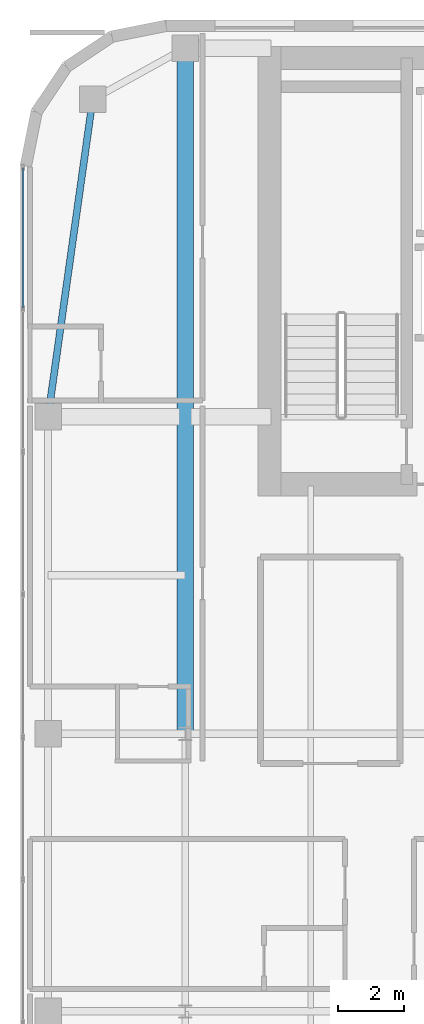
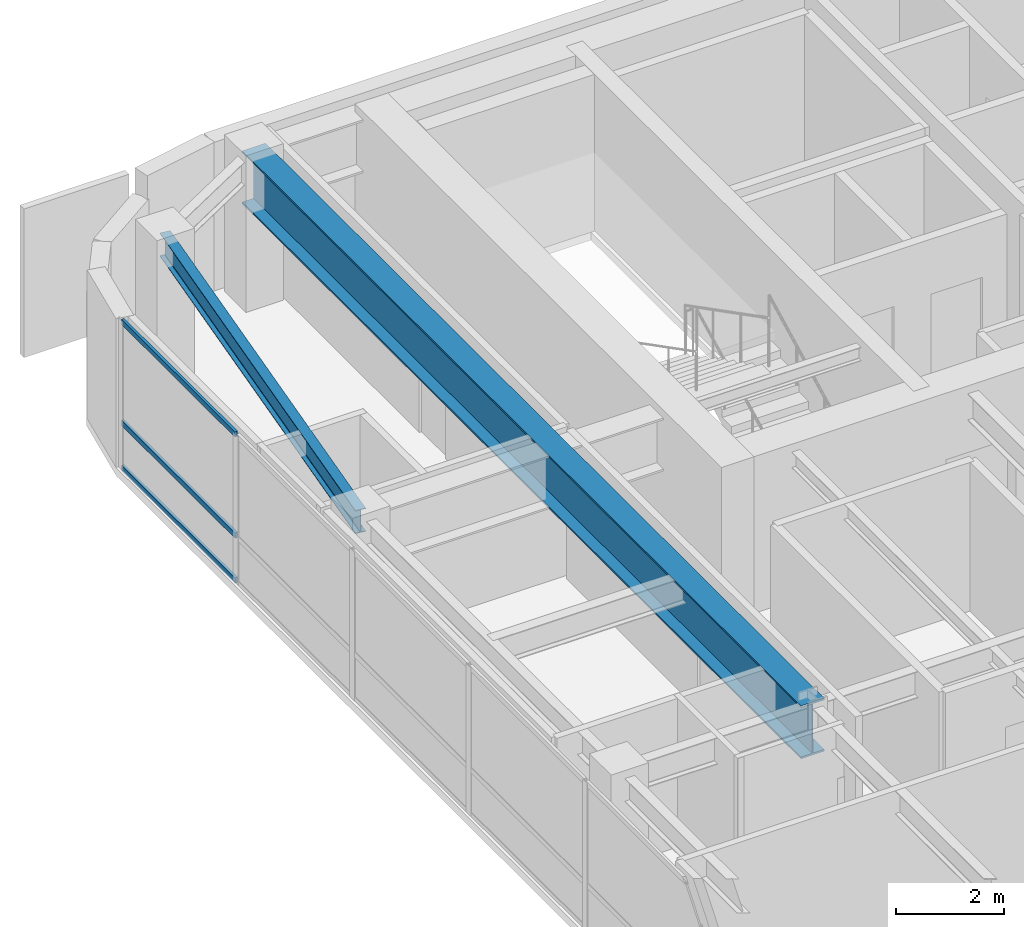
# One storey, part 14 of 24: 3 members, 2 beams, 1 element without a shape of its own.
"""IFC4 building model written with IfcOpenShell, lengths in metres."""

from ifc_helpers import new_model, si_unit, direction, frame, origin, origin_2d, place, context, subcontext, project, spatial, hollow_rectangle, i_section, extrude, source, transform, mapped, material, layer, layer_set, material_profile, profile_set, type_object, type_shapes, element, aggregate, save


model = new_model("IFC4")

# Units and contexts
model_context = context("Model", 3, precision=1e-05, world=origin(), true_north=direction((0.0, 1.0)))
body_context = subcontext(model_context, "Body", "Model", "MODEL_VIEW")
ifc_project = project(units=[si_unit("LENGTHUNIT", "METRE"), si_unit("AREAUNIT", "SQUARE_METRE"), si_unit("VOLUMEUNIT", "CUBIC_METRE"), si_unit("PLANEANGLEUNIT", "RADIAN"), si_unit("MASSUNIT", "GRAM", prefix="KILO")], contexts=[model_context])

# Site, building, storey
site_placement = place(None, origin())
site = spatial("IfcSite", under=ifc_project, at=site_placement, CompositionType="ELEMENT")
building_placement = place(site_placement, origin())
building = spatial("IfcBuilding", under=site, at=building_placement, Name="Tolvann Quenvar Hotel", CompositionType="ELEMENT")
storey_placement = place(building_placement, frame((0.0, 0.0, 157.699951171875)))
storey = spatial("IfcBuildingStorey", under=building, at=storey_placement, Name="L41", CompositionType="ELEMENT", Elevation=157.699951171875)

# Beams
ifc_material_1 = material(Name="Steel Grade 350", Category="steel")
ifc_material_profile_1 = material_profile(ifc_material_1, i_section(OverallWidth=0.5, OverallDepth=1.199951171875, WebThickness=0.01611328125, FlangeThickness=0.0400390625, at=origin_2d()), Name="1200WB455")
ifc_profile_set_1 = profile_set([ifc_material_profile_1], Name="Steel Grade 350")
beam_type_1 = type_object("IfcBeamType", Name="BM_TG_1200WB455", PredefinedType="USERDEFINED", material=ifc_profile_set_1)
shared_shape_1 = source(origin(), body_context, "Body", "SweptSolid", [
    extrude(i_section(OverallWidth=0.5, OverallDepth=1.199951171875, WebThickness=0.01611328125, FlangeThickness=0.0400390625, at=origin_2d()), origin(), (0.0, 0.0, 1.0), 20.75),
])
type_shapes(beam_type_1, [shared_shape_1])
beam_1_placement = place(storey_placement, frame((7.60009765625, 24.39990234375, 2.77001953125), z_axis=(0.0, 1.0, 0.0), x_axis=(-1.0, 0.0, 0.0)))
element("IfcBeam", 1, at=beam_1_placement, inside=storey, type_object=beam_type_1, Name="BM-L41-FLK-WC", ObjectType="TRANSFER GIRDER", PredefinedType="USERDEFINED", context=body_context, shape_type="MappedRepresentation", body=[
    mapped(shared_shape_1, transform((0.0, 0.0, 0.0), x_axis=(1.0, 0.0, 0.0), y_axis=(0.0, 1.0, 0.0), z_axis=(0.0, 0.0, 1.0), scale=1.0)),
])
ifc_material_profile_2 = material_profile(ifc_material_1, i_section(OverallWidth=0.208984375, OverallDepth=0.528076171875, WebThickness=0.009521484375, FlangeThickness=0.01318359375, FilletRadius=0.013916015625, at=origin_2d()), Name="530UB82")
ifc_profile_set_2 = profile_set([ifc_material_profile_2], Name="Steel Grade 350")
beam_type_2 = type_object("IfcBeamType", Name="BM_SPAND_530UB82", PredefinedType="SPANDREL", material=ifc_profile_set_2)
shared_shape_2 = source(origin(), body_context, "Body", "SweptSolid", [
    extrude(i_section(OverallWidth=0.208984375, OverallDepth=0.528076171875, WebThickness=0.009521484375, FlangeThickness=0.01318359375, FilletRadius=0.013916015625, at=origin_2d()), origin(), (0.0, 0.0, 1.0), 9.694580078125),
])
type_shapes(beam_type_2, [shared_shape_2])
beam_2_placement = place(storey_placement, frame((3.449951171875, 34.0, 3.10595703125), z_axis=(0.139263320262, 0.990255385055, 0.0), x_axis=(-0.990255385055, 0.139263320262, 0.0)))
element("IfcBeam", 2, at=beam_2_placement, inside=storey, type_object=beam_type_2, Name="BM-L41-FLK-W2", PredefinedType="SPANDREL", context=body_context, shape_type="MappedRepresentation", body=[
    mapped(shared_shape_2, transform((0.0, 0.0, 0.0), x_axis=(1.0, 0.0, 0.0), y_axis=(0.0, 1.0, 0.0), z_axis=(0.0, 0.0, 1.0), scale=1.0)),
])

# Curtain wall, members
ifc_material_2 = material(Name="Thermally broken anodised architectural aluminium 6063-T6 and laminated low-E glass", Category="aluminium")
ifc_layer = layer(ifc_material_2, 0.179931640625)
ifc_layer_set = layer_set([ifc_layer], Name="Thermally broken anodised architectural aluminium 6063-T6 and laminated low-E glass")
curtain_wall_type = type_object("IfcCurtainWallType", Name="CW_SYS_BAND_04", PredefinedType="USERDEFINED", material=ifc_layer_set)
curtain_wall_placement = place(storey_placement, origin())
curtain_wall = element("IfcCurtainWall", 3, at=curtain_wall_placement, inside=storey, type_object=curtain_wall_type, Name="Curtain Wall CW-BAND-04 (CWR-L41-E23)", ObjectType="UNITISED CURTAIN WALL", PredefinedType="USERDEFINED")
ifc_material_3 = material(Name="Anodised architectural aluminium 6063-T6 framing", Category="aluminium")
ifc_material_profile_3 = material_profile(ifc_material_3, hollow_rectangle(XDim=0.06005859375, YDim=0.1201171875, WallThickness=0.00341796875, at=origin_2d()), Name="120x60x3.5RHS")
ifc_profile_set_3 = profile_set([ifc_material_profile_3], Name="Anodised architectural aluminium 6063-T6 framing")
member_type = type_object("IfcMemberType", Name="CW_TRAN_120x60", PredefinedType="USERDEFINED", material=ifc_profile_set_3)
shared_shape_3 = source(origin(), body_context, "Body", "SweptSolid", [
    extrude(hollow_rectangle(XDim=0.06005859375, YDim=0.1201171875, WallThickness=0.00341796875, at=origin_2d()), origin(), (0.0, 0.0, 1.0), 4.215576171875),
])
type_shapes(member_type, [shared_shape_3])
member_1_placement = place(storey_placement, frame((2.68994140625, 41.5126953125, 0.030029296875), z_axis=(0.0, -1.0, 0.0), x_axis=(1.0, 0.0, 0.0)))
member_1 = element("IfcMember", 4, at=member_1_placement, type_object=member_type, Name="CW-BAND-04 transom 1.1", ObjectType="TRANSOM", PredefinedType="USERDEFINED", context=body_context, shape_type="MappedRepresentation", body=[
    mapped(shared_shape_3, transform((0.0, 0.0, 0.0), x_axis=(1.0, 0.0, 0.0), y_axis=(0.0, 1.0, 0.0), z_axis=(0.0, 0.0, 1.0), scale=1.0)),
])
member_2_placement = place(storey_placement, frame((2.68994140625, 41.5126953125, 1.050048828125), z_axis=(0.0, -1.0, 0.0), x_axis=(1.0, 0.0, 0.0)))
member_2 = element("IfcMember", 5, at=member_2_placement, type_object=member_type, Name="CW-BAND-04 transom 1.2", ObjectType="TRANSOM", PredefinedType="USERDEFINED", context=body_context, shape_type="MappedRepresentation", body=[
    mapped(shared_shape_3, transform((0.0, 0.0, 0.0), x_axis=(1.0, 0.0, 0.0), y_axis=(0.0, 1.0, 0.0), z_axis=(0.0, 0.0, 1.0), scale=1.0)),
])
member_3_placement = place(storey_placement, frame((2.68994140625, 41.5126953125, 3.340087890625), z_axis=(0.0, -1.0, 0.0), x_axis=(1.0, 0.0, 0.0)))
member_3 = element("IfcMember", 6, at=member_3_placement, type_object=member_type, Name="CW-BAND-04 transom 1.3", ObjectType="TRANSOM", PredefinedType="USERDEFINED", context=body_context, shape_type="MappedRepresentation", body=[
    mapped(shared_shape_3, transform((0.0, 0.0, 0.0), x_axis=(1.0, 0.0, 0.0), y_axis=(0.0, 1.0, 0.0), z_axis=(0.0, 0.0, 1.0), scale=1.0)),
])
aggregate(curtain_wall, [member_1, member_2, member_3])

save(model, "model.ifc")
